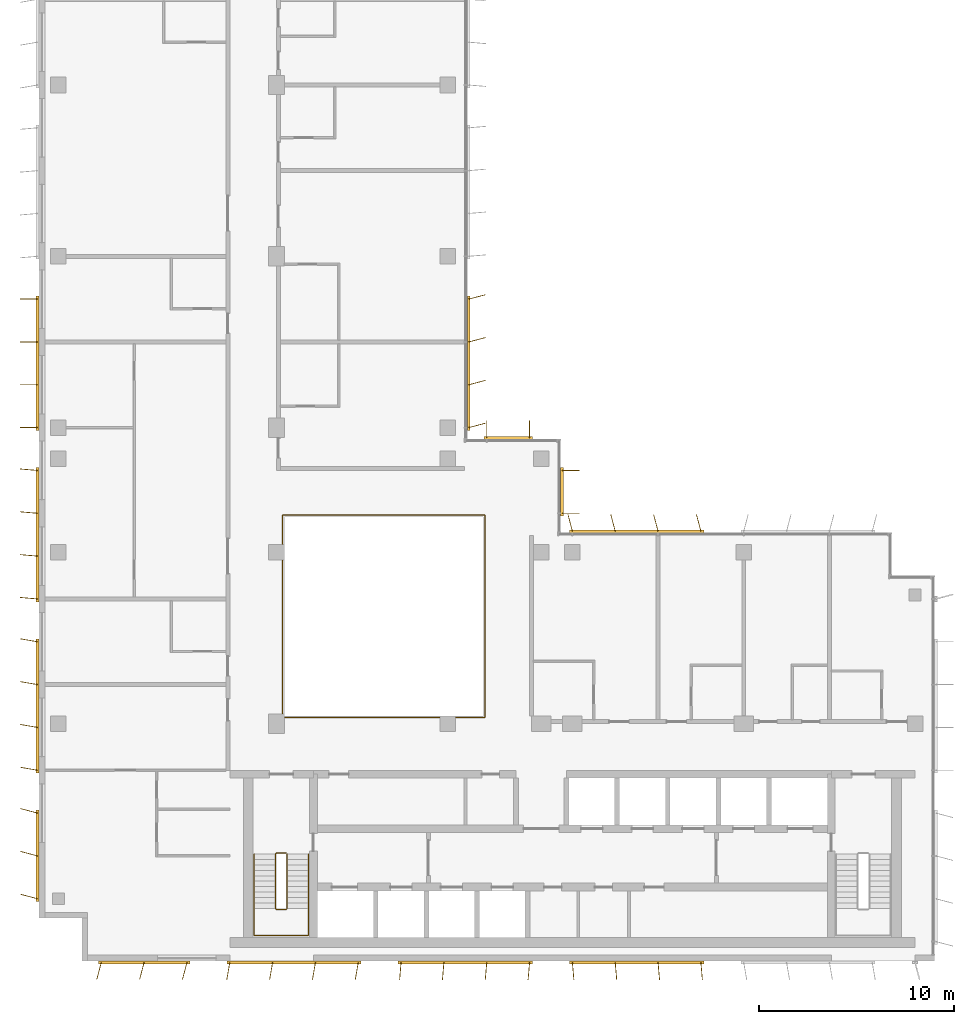
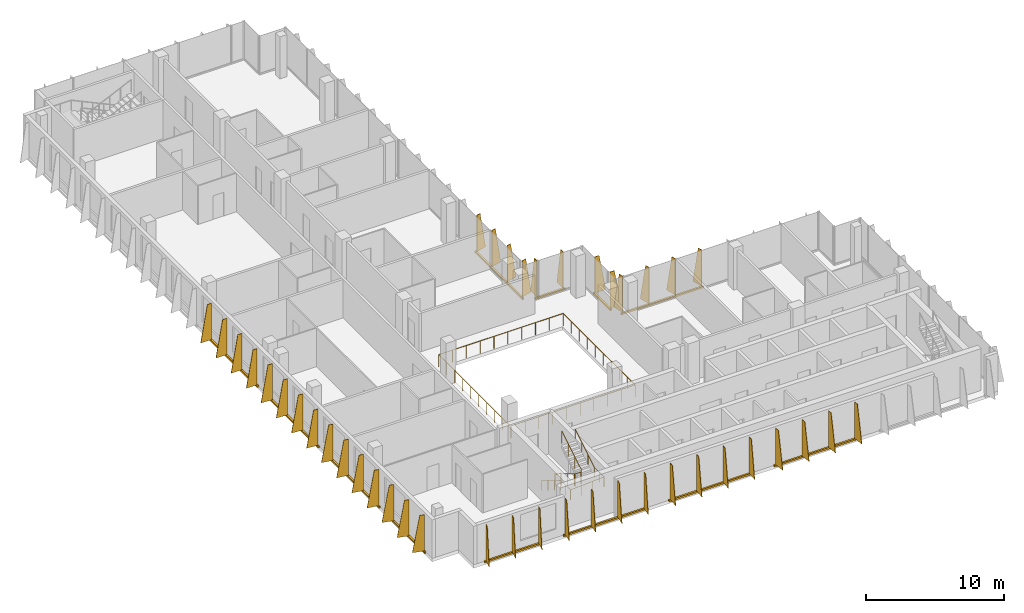
# One storey, part 13 of 15: 12 shading devices, 3 railings.
"""IFC4 building model written with IfcOpenShell, lengths in metres."""

from ifc_helpers import new_model, si_unit, direction, frame, origin, origin_2d, place, context, subcontext, project, spatial, polyline, rectangle, circle, outline, extrude, source, transform, mapped, material, layer, layer_set, type_object, element, save


model = new_model("IFC4")

# Units and contexts
model_context = context("Model", 3, precision=1e-05, world=origin(), true_north=direction((0.0, 1.0)))
body_context = subcontext(model_context, "Body", "Model", "MODEL_VIEW")
ifc_project = project(units=[si_unit("LENGTHUNIT", "METRE"), si_unit("AREAUNIT", "SQUARE_METRE"), si_unit("VOLUMEUNIT", "CUBIC_METRE"), si_unit("PLANEANGLEUNIT", "RADIAN"), si_unit("MASSUNIT", "GRAM", prefix="KILO")], contexts=[model_context])

# Site, building, storey
site_placement = place(None, origin())
site = spatial("IfcSite", under=ifc_project, at=site_placement, CompositionType="ELEMENT")
building_placement = place(site_placement, origin())
building = spatial("IfcBuilding", under=site, at=building_placement, Name="Kemantara Hotel Tower", CompositionType="ELEMENT")
storey_placement = place(building_placement, frame((0.0, 0.0, 279.60009765625)))
storey = spatial("IfcBuildingStorey", under=building, at=storey_placement, Name="L70", CompositionType="ELEMENT", Elevation=279.60009765625)

# Railings
ifc_material_1 = material(Name="Stainless steel and laminated glass balustrade", Category="steel")
railing_type_1 = type_object("IfcRailingType", Name="ATRIUM GUARD 1100", PredefinedType="GUARDRAIL", material=ifc_material_1)
railing_1_placement = place(storey_placement, frame((12.56005859375, 12.5, 0.0)))
element("IfcRailing", 1, at=railing_1_placement, inside=storey, type_object=railing_type_1, Name="ATRIUM GUARD L70", PredefinedType="GUARDRAIL", context=body_context, shape_type="SweptSolid", body=[
    extrude(circle(Radius=0.02490234375, at=origin_2d()), frame((0.0, 0.0, 1.0751953125), z_axis=(1.0, 0.0, 0.0), x_axis=(0.0, 1.0, 0.0)), (0.0, 0.0, 1.0), 10.33984375),
    extrude(circle(Radius=0.02490234375, at=origin_2d()), frame((10.33984375, 0.0, 1.0751953125), z_axis=(0.0, 1.0, 0.0), x_axis=(-1.0, 0.0, 0.0)), (0.0, 0.0, 1.0), 10.39990234375),
    extrude(circle(Radius=0.02490234375, at=origin_2d()), frame((10.33984375, 10.39990234375, 1.0751953125), z_axis=(-1.0, 0.0, 0.0), x_axis=(0.0, -1.0, 0.0)), (0.0, 0.0, 1.0), 10.39990234375),
    extrude(circle(Radius=0.02490234375, at=origin_2d()), frame((-0.06005859375, 10.39990234375, 1.0751953125), z_axis=(0.0, -1.0, 0.0), x_axis=(1.0, 0.0, 0.0)), (0.0, 0.0, 1.0), 10.39990234375),
    extrude(circle(Radius=0.02001953125, at=origin_2d()), origin(), (0.0, 0.0, 1.0), 1.050048828125),
    extrude(circle(Radius=0.02001953125, at=origin_2d()), frame((1.14892578125, 0.0, 0.0)), (0.0, 0.0, 1.0), 1.050048828125),
    extrude(circle(Radius=0.02001953125, at=origin_2d()), frame((2.2978515625, 0.0, 0.0)), (0.0, 0.0, 1.0), 1.050048828125),
    extrude(circle(Radius=0.02001953125, at=origin_2d()), frame((3.446533203125, 0.0, 0.0)), (0.0, 0.0, 1.0), 1.050048828125),
    extrude(circle(Radius=0.02001953125, at=origin_2d()), frame((4.595458984375, 0.0, 0.0)), (0.0, 0.0, 1.0), 1.050048828125),
    extrude(circle(Radius=0.02001953125, at=origin_2d()), frame((5.744384765625, 0.0, 0.0)), (0.0, 0.0, 1.0), 1.050048828125),
    extrude(circle(Radius=0.02001953125, at=origin_2d()), frame((6.893310546875, 0.0, 0.0)), (0.0, 0.0, 1.0), 1.050048828125),
    extrude(circle(Radius=0.02001953125, at=origin_2d()), frame((8.0419921875, 0.0, 0.0)), (0.0, 0.0, 1.0), 1.050048828125),
    extrude(circle(Radius=0.02001953125, at=origin_2d()), frame((9.19091796875, 0.0, 0.0)), (0.0, 0.0, 1.0), 1.050048828125),
    extrude(circle(Radius=0.02001953125, at=origin_2d()), frame((10.33984375, 0.0, 0.0)), (0.0, 0.0, 1.0), 1.050048828125),
    extrude(circle(Radius=0.02001953125, at=origin_2d()), frame((10.33984375, 1.155517578125, 0.0)), (0.0, 0.0, 1.0), 1.050048828125),
    extrude(circle(Radius=0.02001953125, at=origin_2d()), frame((10.33984375, 2.31103515625, 0.0)), (0.0, 0.0, 1.0), 1.050048828125),
    extrude(circle(Radius=0.02001953125, at=origin_2d()), frame((10.33984375, 3.466552734375, 0.0)), (0.0, 0.0, 1.0), 1.050048828125),
    extrude(circle(Radius=0.02001953125, at=origin_2d()), frame((10.33984375, 4.6220703125, 0.0)), (0.0, 0.0, 1.0), 1.050048828125),
    extrude(circle(Radius=0.02001953125, at=origin_2d()), frame((10.33984375, 5.77783203125, 0.0)), (0.0, 0.0, 1.0), 1.050048828125),
    extrude(circle(Radius=0.02001953125, at=origin_2d()), frame((10.33984375, 6.933349609375, 0.0)), (0.0, 0.0, 1.0), 1.050048828125),
    extrude(circle(Radius=0.02001953125, at=origin_2d()), frame((10.33984375, 8.0888671875, 0.0)), (0.0, 0.0, 1.0), 1.050048828125),
    extrude(circle(Radius=0.02001953125, at=origin_2d()), frame((10.33984375, 9.244384765625, 0.0)), (0.0, 0.0, 1.0), 1.050048828125),
    extrude(circle(Radius=0.02001953125, at=origin_2d()), frame((10.33984375, 10.39990234375, 0.0)), (0.0, 0.0, 1.0), 1.050048828125),
    extrude(circle(Radius=0.02001953125, at=origin_2d()), frame((9.184326171875, 10.39990234375, 0.0)), (0.0, 0.0, 1.0), 1.050048828125),
    extrude(circle(Radius=0.02001953125, at=origin_2d()), frame((8.02880859375, 10.39990234375, 0.0)), (0.0, 0.0, 1.0), 1.050048828125),
    extrude(circle(Radius=0.02001953125, at=origin_2d()), frame((6.873291015625, 10.39990234375, 0.0)), (0.0, 0.0, 1.0), 1.050048828125),
    extrude(circle(Radius=0.02001953125, at=origin_2d()), frame((5.7177734375, 10.39990234375, 0.0)), (0.0, 0.0, 1.0), 1.050048828125),
    extrude(circle(Radius=0.02001953125, at=origin_2d()), frame((4.56201171875, 10.39990234375, 0.0)), (0.0, 0.0, 1.0), 1.050048828125),
    extrude(circle(Radius=0.02001953125, at=origin_2d()), frame((3.406494140625, 10.39990234375, 0.0)), (0.0, 0.0, 1.0), 1.050048828125),
    extrude(circle(Radius=0.02001953125, at=origin_2d()), frame((2.2509765625, 10.39990234375, 0.0)), (0.0, 0.0, 1.0), 1.050048828125),
    extrude(circle(Radius=0.02001953125, at=origin_2d()), frame((1.095458984375, 10.39990234375, 0.0)), (0.0, 0.0, 1.0), 1.050048828125),
    extrude(circle(Radius=0.02001953125, at=origin_2d()), frame((-0.06005859375, 10.39990234375, 0.0)), (0.0, 0.0, 1.0), 1.050048828125),
    extrude(circle(Radius=0.02001953125, at=origin_2d()), frame((-0.06005859375, 9.244384765625, 0.0)), (0.0, 0.0, 1.0), 1.050048828125),
    extrude(circle(Radius=0.02001953125, at=origin_2d()), frame((-0.06005859375, 8.0888671875, 0.0)), (0.0, 0.0, 1.0), 1.050048828125),
    extrude(circle(Radius=0.02001953125, at=origin_2d()), frame((-0.06005859375, 6.933349609375, 0.0)), (0.0, 0.0, 1.0), 1.050048828125),
    extrude(circle(Radius=0.02001953125, at=origin_2d()), frame((-0.06005859375, 5.77783203125, 0.0)), (0.0, 0.0, 1.0), 1.050048828125),
    extrude(circle(Radius=0.02001953125, at=origin_2d()), frame((-0.06005859375, 4.6220703125, 0.0)), (0.0, 0.0, 1.0), 1.050048828125),
    extrude(circle(Radius=0.02001953125, at=origin_2d()), frame((-0.06005859375, 3.466552734375, 0.0)), (0.0, 0.0, 1.0), 1.050048828125),
    extrude(circle(Radius=0.02001953125, at=origin_2d()), frame((-0.06005859375, 2.31103515625, 0.0)), (0.0, 0.0, 1.0), 1.050048828125),
    extrude(circle(Radius=0.02001953125, at=origin_2d()), frame((-0.06005859375, 1.155517578125, 0.0)), (0.0, 0.0, 1.0), 1.050048828125),
    extrude(circle(Radius=0.02001953125, at=origin_2d()), frame((-0.06005859375, 0.0, 0.0)), (0.0, 0.0, 1.0), 1.050048828125),
])
ifc_material_2 = material(Name="Stainless steel balustrade", Category="steel")
railing_type_2 = type_object("IfcRailingType", Name="Stair guard 1100 mm", PredefinedType="GUARDRAIL", material=ifc_material_2)
railing_2_placement = place(storey_placement, frame((12.75, 5.5, 3.699951171875)))
element("IfcRailing", 2, at=railing_2_placement, inside=storey, type_object=railing_type_2, Name="L70 ST1 stair guard 1", PredefinedType="GUARDRAIL", context=body_context, shape_type="SweptSolid", body=[
    extrude(circle(Radius=0.02392578125, at=origin_2d()), frame((0.0, 0.0, 1.076171875), z_axis=(0.0, -0.857242210791, -0.514913383045), x_axis=(1.0, 0.0, 0.0)), (0.0, 0.0, 1.0), 3.266357421875),
    extrude(circle(Radius=0.02392578125, at=origin_2d()), frame((0.0, -2.800048828125, -0.60595703125), z_axis=(-0.274243871929, -0.274243871929, -0.92172696468), x_axis=(0.707106781187, -0.707106781187, 0.0)), (0.0, 0.0, 1.0), 0.1826171875),
    extrude(circle(Radius=0.02392578125, at=origin_2d()), frame((-0.050048828125, -2.85009765625, -0.77392578125), z_axis=(-1.0, 0.0, 0.0), x_axis=(0.0, -1.0, 0.0)), (0.0, 0.0, 1.0), 0.5),
    extrude(circle(Radius=0.02392578125, at=origin_2d()), frame((-0.550048828125, -2.85009765625, -0.77392578125), z_axis=(-0.707106781187, 0.707106781187, 0.0), x_axis=(-0.707106781187, -0.707106781187, 0.0)), (0.0, 0.0, 1.0), 0.07080078125),
    extrude(circle(Radius=0.02392578125, at=origin_2d()), frame((-0.60009765625, -2.800048828125, -0.77392578125), z_axis=(0.0, 0.857242210791, -0.514913383045), x_axis=(-1.0, 0.0, 0.0)), (0.0, 0.0, 1.0), 3.266357421875),
    extrude(circle(Radius=0.02392578125, at=origin_2d()), frame((-0.60009765625, 0.0, -2.4560546875), z_axis=(0.274582412415, 0.274582412415, -0.921525364591), x_axis=(-0.707106781187, 0.707106781187, 0.0)), (0.0, 0.0, 1.0), 0.182373046875),
    extrude(circle(Radius=0.02392578125, at=origin_2d()), frame((-0.550048828125, 0.050048828125, -2.6240234375), z_axis=(1.0, 0.0, 0.0), x_axis=(0.0, 1.0, 0.0)), (0.0, 0.0, 1.0), 0.5),
    extrude(circle(Radius=0.02099609375, at=origin_2d()), origin(), (0.0, 0.0, 1.0), 1.052001953125),
    extrude(circle(Radius=0.02099609375, at=origin_2d()), frame((0.0, -0.933349609375, -0.560546875)), (0.0, 0.0, 1.0), 1.052001953125),
    extrude(circle(Radius=0.02099609375, at=origin_2d()), frame((0.0, -1.86669921875, -1.121337890625)), (0.0, 0.0, 1.0), 1.052001953125),
    extrude(circle(Radius=0.02099609375, at=origin_2d()), frame((0.0, -2.800048828125, -1.681884765625)), (0.0, 0.0, 1.0), 1.052001953125),
    extrude(circle(Radius=0.02099609375, at=origin_2d()), frame((-0.050048828125, -2.85009765625, -1.85009765625)), (0.0, 0.0, 1.0), 1.052001953125),
    extrude(circle(Radius=0.02099609375, at=origin_2d()), frame((-0.550048828125, -2.85009765625, -1.85009765625)), (0.0, 0.0, 1.0), 1.052001953125),
    extrude(circle(Radius=0.02099609375, at=origin_2d()), frame((-0.60009765625, -2.800048828125, -1.85009765625)), (0.0, 0.0, 1.0), 1.052001953125),
    extrude(circle(Radius=0.02099609375, at=origin_2d()), frame((-0.60009765625, -1.86669921875, -2.41064453125)), (0.0, 0.0, 1.0), 1.052001953125),
    extrude(circle(Radius=0.02099609375, at=origin_2d()), frame((-0.60009765625, -0.933349609375, -2.971435546875)), (0.0, 0.0, 1.0), 1.052001953125),
    extrude(circle(Radius=0.02099609375, at=origin_2d()), frame((-0.60009765625, 0.0, -3.531982421875)), (0.0, 0.0, 1.0), 1.052001953125),
    extrude(circle(Radius=0.02099609375, at=origin_2d()), frame((-0.550048828125, 0.050048828125, -3.699951171875)), (0.0, 0.0, 1.0), 1.052001953125),
    extrude(circle(Radius=0.02099609375, at=origin_2d()), frame((-0.050048828125, 0.050048828125, -3.699951171875)), (0.0, 0.0, 1.0), 1.052001953125),
])
railing_type_3 = type_object("IfcRailingType", Name="Stair handrail 900 mm", PredefinedType="HANDRAIL", material=ifc_material_2)
railing_3_placement = place(storey_placement, frame((11.050048828125, 5.5, 0.16796875)))
element("IfcRailing", 3, at=railing_3_placement, inside=storey, type_object=railing_type_3, Name="L70 ST1 stair handrail 1", PredefinedType="HANDRAIL", context=body_context, shape_type="SweptSolid", body=[
    extrude(circle(Radius=0.02392578125, at=origin_2d()), frame((0.0, 0.0, 0.8759765625), z_axis=(0.0, -0.857242210791, 0.514913383045), x_axis=(1.0, 0.0, 0.0)), (0.0, 0.0, 1.0), 3.266357421875),
    extrude(circle(Radius=0.02392578125, at=origin_2d()), frame((0.0, -2.800048828125, 2.5576171875), z_axis=(0.0, -1.0, 0.0), x_axis=(1.0, 0.0, 0.0)), (0.0, 0.0, 1.0), 1.3798828125),
    extrude(circle(Radius=0.02392578125, at=origin_2d()), frame((0.0, -4.179931640625, 2.5576171875), z_axis=(0.998200367801, 0.0, 0.059966871865), x_axis=(0.0, 1.0, 0.0)), (0.0, 0.0, 1.0), 2.80517578125),
    extrude(circle(Radius=0.02392578125, at=origin_2d()), frame((2.800048828125, -4.179931640625, 2.72607421875), z_axis=(0.0, 1.0, 0.0), x_axis=(-1.0, 0.0, 0.0)), (0.0, 0.0, 1.0), 1.3798828125),
    extrude(circle(Radius=0.02392578125, at=origin_2d()), frame((2.800048828125, -2.800048828125, 2.72607421875), z_axis=(0.0, 0.857242210791, 0.514913383045), x_axis=(-1.0, 0.0, 0.0)), (0.0, 0.0, 1.0), 3.266357421875),
    extrude(circle(Radius=0.02099609375, at=origin_2d()), origin(), (0.0, 0.0, 1.0), 0.851806640625),
    extrude(circle(Radius=0.02099609375, at=origin_2d()), frame((0.0, -0.933349609375, 0.560546875)), (0.0, 0.0, 1.0), 0.851806640625),
    extrude(circle(Radius=0.02099609375, at=origin_2d()), frame((0.0, -1.86669921875, 1.121337890625)), (0.0, 0.0, 1.0), 0.851806640625),
    extrude(circle(Radius=0.02099609375, at=origin_2d()), frame((0.0, -2.800048828125, 1.681884765625)), (0.0, 0.0, 1.0), 0.851806640625),
    extrude(circle(Radius=0.02099609375, at=origin_2d()), frame((0.0, -3.489990234375, 1.681884765625)), (0.0, 0.0, 1.0), 0.851806640625),
    extrude(circle(Radius=0.02099609375, at=origin_2d()), frame((0.0, -4.179931640625, 1.681884765625)), (0.0, 0.0, 1.0), 0.851806640625),
    extrude(circle(Radius=0.02099609375, at=origin_2d()), frame((0.933349609375, -4.179931640625, 1.738037109375)), (0.0, 0.0, 1.0), 0.851806640625),
    extrude(circle(Radius=0.02099609375, at=origin_2d()), frame((1.86669921875, -4.179931640625, 1.7939453125)), (0.0, 0.0, 1.0), 0.851806640625),
    extrude(circle(Radius=0.02099609375, at=origin_2d()), frame((2.800048828125, -4.179931640625, 1.85009765625)), (0.0, 0.0, 1.0), 0.851806640625),
    extrude(circle(Radius=0.02099609375, at=origin_2d()), frame((2.800048828125, -3.489990234375, 1.85009765625)), (0.0, 0.0, 1.0), 0.851806640625),
    extrude(circle(Radius=0.02099609375, at=origin_2d()), frame((2.800048828125, -2.800048828125, 1.85009765625)), (0.0, 0.0, 1.0), 0.851806640625),
    extrude(circle(Radius=0.02099609375, at=origin_2d()), frame((2.800048828125, -1.86669921875, 2.41064453125)), (0.0, 0.0, 1.0), 0.851806640625),
    extrude(circle(Radius=0.02099609375, at=origin_2d()), frame((2.800048828125, -0.933349609375, 2.971435546875)), (0.0, 0.0, 1.0), 0.851806640625),
    extrude(circle(Radius=0.02099609375, at=origin_2d()), frame((2.800048828125, 0.0, 3.531982421875)), (0.0, 0.0, 1.0), 0.851806640625),
])

# Shading devices
ifc_material_3 = material(Name="Perforated aluminium plate 4 mm bronze anodised", Category="aluminium")
ifc_layer_1 = layer(ifc_material_3, 0.0400390625)
ifc_layer_set_1 = layer_set([ifc_layer_1], Name="Perforated aluminium plate 4 mm bronze anodised")
shading_device_type_1 = type_object("IfcShadingDeviceType", Name="SCREEN FIN CASSETTE, 3 BLADES AT -15.0 DEG, 3200 HIGH", PredefinedType="USERDEFINED", material=ifc_layer_set_1)
shared_shape_1 = source(origin(), body_context, "Body", "SweptSolid", [
    extrude(rectangle(XDim=4.699951171875, YDim=0.14990234375, at=origin_2d()), frame((2.199951171875, -0.074951171875, -0.14990234375), z_axis=(0.0, 0.0, 1.0), x_axis=(1.0, 0.0, 0.0)), (0.0, 0.0, 1.0), 0.14990234375),
    extrude(outline(polyline([(0.0, 0.0), (0.89990234375, 0.0), (0.35009765625, 3.199951171875), (0.0, 3.199951171875), (0.0, 0.0)])), frame((0.019287109375, -0.080078125, 0.0), z_axis=(-0.966437683387, 0.256901156343, 0.0), x_axis=(-0.256901156343, -0.966437683387, 0.0)), (0.0, 0.0, 1.0), 0.039794921875),
    extrude(outline(polyline([(0.0, 0.0), (0.89990234375, 0.0), (0.35009765625, 3.199951171875), (0.0, 3.199951171875), (0.0, 0.0)])), frame((2.21923828125, -0.080078125, 0.0), z_axis=(-0.966437683387, 0.256901156343, 0.0), x_axis=(-0.256901156343, -0.966437683387, 0.0)), (0.0, 0.0, 1.0), 0.039794921875),
    extrude(outline(polyline([(0.0, 0.0), (0.89990234375, 0.0), (0.35009765625, 3.199951171875), (0.0, 3.199951171875), (0.0, 0.0)])), frame((4.41943359375, -0.080078125, 0.0), z_axis=(-0.966837822169, 0.255391122837, 0.0), x_axis=(-0.255391122837, -0.966837822169, 0.0)), (0.0, 0.0, 1.0), 0.0400390625),
])
for number, where, z_axis, x_axis, name in (
    (4, (0.0, 7.60009765625, 0.099853515625), (0.0, 0.0, 1.0), (0.0, -1.0, 0.0), "SCREEN FIN CASSETTE L70 T4-R05-7"),
    (5, (3.199951171875, 0.0, 0.099853515625), (0.0, 0.0, 1.0), (1.0, 0.0, 0.0), "SCREEN FIN CASSETTE L70 T4-R08-1"),
):
    element("IfcShadingDevice", number, at=place(storey_placement, frame(where, z_axis=z_axis, x_axis=x_axis)), inside=storey, type_object=shading_device_type_1, Name=name, ObjectType="SCREEN FIN", PredefinedType="USERDEFINED", context=body_context, shape_type="MappedRepresentation", body=[
        mapped(shared_shape_1, transform((0.0, 0.0, 0.0))),
    ])
ifc_layer_2 = layer(ifc_material_3, 0.0400390625)
ifc_layer_set_2 = layer_set([ifc_layer_2], Name="Perforated aluminium plate 4 mm bronze anodised")
shading_device_type_2 = type_object("IfcShadingDeviceType", Name="SCREEN FIN CASSETTE, 4 BLADES AT -10.0 DEG, 3200 HIGH", PredefinedType="USERDEFINED", material=ifc_layer_set_2)
shared_shape_2 = source(origin(), body_context, "Body", "SweptSolid", [
    extrude(rectangle(XDim=6.89990234375, YDim=0.14990234375, at=origin_2d()), frame((3.300048828125, -0.074951171875, -0.14990234375), z_axis=(0.0, 0.0, 1.0), x_axis=(1.0, 0.0, 0.0)), (0.0, 0.0, 1.0), 0.14990234375),
    extrude(outline(polyline([(0.0, 0.0), (0.89990234375, 0.0), (0.35009765625, 3.199951171875), (0.0, 3.199951171875), (0.0, 0.0)])), frame((0.019775390625, -0.078369140625, 0.0), z_axis=(-0.985389793052, 0.170314285219, 0.0), x_axis=(-0.170314285219, -0.985389793052, 0.0)), (0.0, 0.0, 1.0), 0.0400390625),
    extrude(outline(polyline([(0.0, 0.0), (0.89990234375, 0.0), (0.35009765625, 3.199951171875), (0.0, 3.199951171875), (0.0, 0.0)])), frame((2.2197265625, -0.078369140625, 0.0), z_axis=(-0.98521175482, 0.171341174751, 0.0), x_axis=(-0.171341174751, -0.98521175482, 0.0)), (0.0, 0.0, 1.0), 0.039794921875),
    extrude(outline(polyline([(0.0, 0.0), (0.89990234375, 0.0), (0.35009765625, 3.199951171875), (0.0, 3.199951171875), (0.0, 0.0)])), frame((4.419677734375, -0.078369140625, 0.0), z_axis=(-0.98521175482, 0.171341174751, 0.0), x_axis=(-0.171341174751, -0.98521175482, 0.0)), (0.0, 0.0, 1.0), 0.039794921875),
    extrude(outline(polyline([(0.0, 0.0), (0.89990234375, 0.0), (0.35009765625, 3.199951171875), (0.0, 3.199951171875), (0.0, 0.0)])), frame((6.61962890625, -0.078369140625, 0.0), z_axis=(-0.98521175482, 0.171341174751, 0.0), x_axis=(-0.171341174751, -0.98521175482, 0.0)), (0.0, 0.0, 1.0), 0.039794921875),
])
for number, where, z_axis, x_axis, name in (
    (6, (0.0, 16.39990234375, 0.099853515625), (0.0, 0.0, 1.0), (0.0, -1.0, 0.0), "SCREEN FIN CASSETTE L70 T4-R05-6"),
    (7, (9.800048828125, 0.0, 0.099853515625), (0.0, 0.0, 1.0), (1.0, 0.0, 0.0), "SCREEN FIN CASSETTE L70 T4-R08-2"),
):
    element("IfcShadingDevice", number, at=place(storey_placement, frame(where, z_axis=z_axis, x_axis=x_axis)), inside=storey, type_object=shading_device_type_2, Name=name, ObjectType="SCREEN FIN", PredefinedType="USERDEFINED", context=body_context, shape_type="MappedRepresentation", body=[
        mapped(shared_shape_2, transform((0.0, 0.0, 0.0))),
    ])
ifc_layer_3 = layer(ifc_material_3, 0.0400390625)
ifc_layer_set_3 = layer_set([ifc_layer_3], Name="Perforated aluminium plate 4 mm bronze anodised")
shading_device_type_3 = type_object("IfcShadingDeviceType", Name="SCREEN FIN CASSETTE, 4 BLADES AT -5.0 DEG, 3200 HIGH", PredefinedType="USERDEFINED", material=ifc_layer_set_3)
shared_shape_3 = source(origin(), body_context, "Body", "SweptSolid", [
    extrude(rectangle(XDim=6.89990234375, YDim=0.14990234375, at=origin_2d()), frame((3.300048828125, -0.074951171875, -0.14990234375), z_axis=(0.0, 0.0, 1.0), x_axis=(1.0, 0.0, 0.0)), (0.0, 0.0, 1.0), 0.14990234375),
    extrude(outline(polyline([(0.0, 0.0), (0.89990234375, 0.0), (0.35009765625, 3.199951171875), (0.0, 3.199951171875), (0.0, 0.0)])), frame((0.02001953125, -0.07666015625, 0.0), z_axis=(-0.996376129781, 0.085056498884, 0.0), x_axis=(-0.085056498884, -0.996376129781, 0.0)), (0.0, 0.0, 1.0), 0.040283203125),
    extrude(outline(polyline([(0.0, 0.0), (0.89990234375, 0.0), (0.35009765625, 3.199951171875), (0.0, 3.199951171875), (0.0, 0.0)])), frame((2.219970703125, -0.07666015625, 0.0), z_axis=(-0.996331773833, 0.085574508182, 0.0), x_axis=(-0.085574508182, -0.996331773833, 0.0)), (0.0, 0.0, 1.0), 0.0400390625),
    extrude(outline(polyline([(0.0, 0.0), (0.89990234375, 0.0), (0.35009765625, 3.199951171875), (0.0, 3.199951171875), (0.0, 0.0)])), frame((4.419921875, -0.07666015625, 0.0), z_axis=(-0.996331773833, 0.085574508182, 0.0), x_axis=(-0.085574508182, -0.996331773833, 0.0)), (0.0, 0.0, 1.0), 0.0400390625),
    extrude(outline(polyline([(0.0, 0.0), (0.89990234375, 0.0), (0.35009765625, 3.199951171875), (0.0, 3.199951171875), (0.0, 0.0)])), frame((6.619873046875, -0.07666015625, 0.0), z_axis=(-0.996331773833, 0.085574508182, 0.0), x_axis=(-0.085574508182, -0.996331773833, 0.0)), (0.0, 0.0, 1.0), 0.0400390625),
])
for number, where, z_axis, x_axis, name in (
    (8, (0.0, 25.199951171875, 0.099853515625), (0.0, 0.0, 1.0), (0.0, -1.0, 0.0), "SCREEN FIN CASSETTE L70 T4-R05-5"),
    (9, (18.60009765625, 0.0, 0.099853515625), (0.0, 0.0, 1.0), (1.0, 0.0, 0.0), "SCREEN FIN CASSETTE L70 T4-R08-3"),
):
    element("IfcShadingDevice", number, at=place(storey_placement, frame(where, z_axis=z_axis, x_axis=x_axis)), inside=storey, type_object=shading_device_type_3, Name=name, ObjectType="SCREEN FIN", PredefinedType="USERDEFINED", context=body_context, shape_type="MappedRepresentation", body=[
        mapped(shared_shape_3, transform((0.0, 0.0, 0.0))),
    ])
ifc_layer_4 = layer(ifc_material_3, 0.0400390625)
ifc_layer_set_4 = layer_set([ifc_layer_4], Name="Perforated aluminium plate 4 mm bronze anodised")
shading_device_type_4 = type_object("IfcShadingDeviceType", Name="SCREEN FIN CASSETTE, 4 BLADES AT +0.0 DEG, 3200 HIGH", PredefinedType="USERDEFINED", material=ifc_layer_set_4)
shared_shape_4 = source(origin(), body_context, "Body", "SweptSolid", [
    extrude(rectangle(XDim=6.89990234375, YDim=0.14990234375, at=origin_2d()), frame((3.300048828125, -0.074951171875, -0.14990234375), z_axis=(0.0, 0.0, 1.0), x_axis=(1.0, 0.0, 0.0)), (0.0, 0.0, 1.0), 0.14990234375),
    extrude(outline(polyline([(0.0, 0.0), (0.89990234375, 0.0), (0.35009765625, 3.199951171875), (0.0, 3.199951171875), (0.0, 0.0)])), frame((0.02001953125, -0.074951171875, 0.0), z_axis=(-1.0, 0.0, 0.0), x_axis=(0.0, -1.0, 0.0)), (0.0, 0.0, 1.0), 0.0400390625),
    extrude(outline(polyline([(0.0, 0.0), (0.89990234375, 0.0), (0.35009765625, 3.199951171875), (0.0, 3.199951171875), (0.0, 0.0)])), frame((2.219970703125, -0.074951171875, 0.0), z_axis=(-1.0, 0.0, 0.0), x_axis=(0.0, -1.0, 0.0)), (0.0, 0.0, 1.0), 0.0400390625),
    extrude(outline(polyline([(0.0, 0.0), (0.89990234375, 0.0), (0.35009765625, 3.199951171875), (0.0, 3.199951171875), (0.0, 0.0)])), frame((4.419921875, -0.074951171875, 0.0), z_axis=(-1.0, 0.0, 0.0), x_axis=(0.0, -1.0, 0.0)), (0.0, 0.0, 1.0), 0.0400390625),
    extrude(outline(polyline([(0.0, 0.0), (0.89990234375, 0.0), (0.35009765625, 3.199951171875), (0.0, 3.199951171875), (0.0, 0.0)])), frame((6.6201171875, -0.074951171875, 0.0), z_axis=(-1.0, 0.0, 0.0), x_axis=(0.0, -1.0, 0.0)), (0.0, 0.0, 1.0), 0.0400390625),
])
shading_device_1_placement = place(storey_placement, frame((0.0, 34.0, 0.099853515625), z_axis=(0.0, 0.0, 1.0), x_axis=(0.0, -1.0, 0.0)))
element("IfcShadingDevice", 10, at=shading_device_1_placement, inside=storey, type_object=shading_device_type_4, Name="SCREEN FIN CASSETTE L70 T4-R05-4", ObjectType="SCREEN FIN", PredefinedType="USERDEFINED", context=body_context, shape_type="MappedRepresentation", body=[
    mapped(shared_shape_4, transform((0.0, 0.0, 0.0))),
])
ifc_layer_5 = layer(ifc_material_3, 0.0400390625)
ifc_layer_set_5 = layer_set([ifc_layer_5], Name="Perforated aluminium plate 4 mm bronze anodised")
shading_device_type_5 = type_object("IfcShadingDeviceType", Name="SCREEN FIN CASSETTE, 4 BLADES AT +5.0 DEG, 3200 HIGH", PredefinedType="USERDEFINED", material=ifc_layer_set_5)
shared_shape_5 = source(origin(), body_context, "Body", "SweptSolid", [
    extrude(rectangle(XDim=6.89990234375, YDim=0.14990234375, at=origin_2d()), frame((3.300048828125, -0.074951171875, -0.14990234375), z_axis=(0.0, 0.0, 1.0), x_axis=(1.0, 0.0, 0.0)), (0.0, 0.0, 1.0), 0.14990234375),
    extrude(outline(polyline([(0.0, 0.0), (0.89990234375, 0.0), (0.35009765625, 3.199951171875), (0.0, 3.199951171875), (0.0, 0.0)])), frame((0.02001953125, -0.0732421875, 0.0), z_axis=(-0.996376129781, -0.085056498884, 0.0), x_axis=(0.085056498884, -0.996376129781, 0.0)), (0.0, 0.0, 1.0), 0.040283203125),
    extrude(outline(polyline([(0.0, 0.0), (0.89990234375, 0.0), (0.35009765625, 3.199951171875), (0.0, 3.199951171875), (0.0, 0.0)])), frame((2.219970703125, -0.0732421875, 0.0), z_axis=(-0.996331773833, -0.085574508182, 0.0), x_axis=(0.085574508182, -0.996331773833, 0.0)), (0.0, 0.0, 1.0), 0.0400390625),
    extrude(outline(polyline([(0.0, 0.0), (0.89990234375, 0.0), (0.35009765625, 3.199951171875), (0.0, 3.199951171875), (0.0, 0.0)])), frame((4.419921875, -0.0732421875, 0.0), z_axis=(-0.996331773833, -0.085574508182, 0.0), x_axis=(0.085574508182, -0.996331773833, 0.0)), (0.0, 0.0, 1.0), 0.0400390625),
    extrude(outline(polyline([(0.0, 0.0), (0.89990234375, 0.0), (0.35009765625, 3.199951171875), (0.0, 3.199951171875), (0.0, 0.0)])), frame((6.619873046875, -0.0732421875, 0.0), z_axis=(-0.996331773833, -0.085574508182, 0.0), x_axis=(0.085574508182, -0.996331773833, 0.0)), (0.0, 0.0, 1.0), 0.0400390625),
])
shading_device_2_placement = place(storey_placement, frame((27.39990234375, 0.0, 0.099853515625), z_axis=(0.0, 0.0, 1.0), x_axis=(1.0, 0.0, 0.0)))
element("IfcShadingDevice", 11, at=shading_device_2_placement, inside=storey, type_object=shading_device_type_5, Name="SCREEN FIN CASSETTE L70 T4-R08-4", ObjectType="SCREEN FIN", PredefinedType="USERDEFINED", context=body_context, shape_type="MappedRepresentation", body=[
    mapped(shared_shape_5, transform((0.0, 0.0, 0.0))),
])
ifc_layer_6 = layer(ifc_material_3, 0.0400390625)
ifc_layer_set_6 = layer_set([ifc_layer_6], Name="Perforated aluminium plate 4 mm bronze anodised")
shading_device_type_6 = type_object("IfcShadingDeviceType", Name="SCREEN FIN CASSETTE, 4 BLADES AT +15.0 DEG, 3200 HIGH", PredefinedType="USERDEFINED", material=ifc_layer_set_6)
shared_shape_6 = source(origin(), body_context, "Body", "SweptSolid", [
    extrude(rectangle(XDim=6.89990234375, YDim=0.14990234375, at=origin_2d()), frame((3.300048828125, -0.074951171875, -0.14990234375), z_axis=(0.0, 0.0, 1.0), x_axis=(1.0, 0.0, 0.0)), (0.0, 0.0, 1.0), 0.14990234375),
    extrude(outline(polyline([(0.0, 0.0), (0.89990234375, 0.0), (0.35009765625, 3.199951171875), (0.0, 3.199951171875), (0.0, 0.0)])), frame((0.019287109375, -0.06982421875, 0.0), z_axis=(-0.966437683387, -0.256901156343, 0.0), x_axis=(0.256901156343, -0.966437683387, 0.0)), (0.0, 0.0, 1.0), 0.039794921875),
    extrude(outline(polyline([(0.0, 0.0), (0.89990234375, 0.0), (0.35009765625, 3.199951171875), (0.0, 3.199951171875), (0.0, 0.0)])), frame((2.21923828125, -0.06982421875, 0.0), z_axis=(-0.966437683387, -0.256901156343, 0.0), x_axis=(0.256901156343, -0.966437683387, 0.0)), (0.0, 0.0, 1.0), 0.039794921875),
    extrude(outline(polyline([(0.0, 0.0), (0.89990234375, 0.0), (0.35009765625, 3.199951171875), (0.0, 3.199951171875), (0.0, 0.0)])), frame((4.41943359375, -0.06982421875, 0.0), z_axis=(-0.966837822169, -0.255391122837, 0.0), x_axis=(0.255391122837, -0.966837822169, 0.0)), (0.0, 0.0, 1.0), 0.0400390625),
    extrude(outline(polyline([(0.0, 0.0), (0.89990234375, 0.0), (0.35009765625, 3.199951171875), (0.0, 3.199951171875), (0.0, 0.0)])), frame((6.619384765625, -0.06982421875, 0.0), z_axis=(-0.966837822169, -0.255391122837, 0.0), x_axis=(0.255391122837, -0.966837822169, 0.0)), (0.0, 0.0, 1.0), 0.0400390625),
])
for number, where, z_axis, x_axis, name in (
    (12, (34.0, 22.0, 0.099853515625), (0.0, 0.0, 1.0), (-1.0, 0.0, 0.0), "SCREEN FIN CASSETTE L70 T4-R12-2"),
    (13, (22.0, 27.39990234375, 0.099853515625), (0.0, 0.0, 1.0), (0.0, 1.0, 0.0), "SCREEN FIN CASSETTE L70 T4-R15-1"),
):
    element("IfcShadingDevice", number, at=place(storey_placement, frame(where, z_axis=z_axis, x_axis=x_axis)), inside=storey, type_object=shading_device_type_6, Name=name, ObjectType="SCREEN FIN", PredefinedType="USERDEFINED", context=body_context, shape_type="MappedRepresentation", body=[
        mapped(shared_shape_6, transform((0.0, 0.0, 0.0))),
    ])
ifc_layer_7 = layer(ifc_material_3, 0.0400390625)
ifc_layer_set_7 = layer_set([ifc_layer_7], Name="Perforated aluminium plate 4 mm bronze anodised")
shading_device_type_7 = type_object("IfcShadingDeviceType", Name="SCREEN FIN CASSETTE, 2 BLADES AT +0.0 DEG, 3200 HIGH", PredefinedType="USERDEFINED", material=ifc_layer_set_7)
shared_shape_7 = source(origin(), body_context, "Body", "SweptSolid", [
    extrude(rectangle(XDim=2.5, YDim=0.14990234375, at=origin_2d()), frame((1.10009765625, -0.074951171875, -0.14990234375), z_axis=(0.0, 0.0, 1.0), x_axis=(1.0, 0.0, 0.0)), (0.0, 0.0, 1.0), 0.14990234375),
    extrude(outline(polyline([(0.0, 0.0), (0.89990234375, 0.0), (0.35009765625, 3.199951171875), (0.0, 3.199951171875), (0.0, 0.0)])), frame((0.02001953125, -0.074951171875, 0.0), z_axis=(-1.0, 0.0, 0.0), x_axis=(0.0, -1.0, 0.0)), (0.0, 0.0, 1.0), 0.0400390625),
    extrude(outline(polyline([(0.0, 0.0), (0.89990234375, 0.0), (0.35009765625, 3.199951171875), (0.0, 3.199951171875), (0.0, 0.0)])), frame((2.219970703125, -0.074951171875, 0.0), z_axis=(-1.0, 0.0, 0.0), x_axis=(0.0, -1.0, 0.0)), (0.0, 0.0, 1.0), 0.0400390625),
])
for number, where, z_axis, x_axis, name in (
    (14, (26.800048828125, 23.0, 0.099853515625), (0.0, 0.0, 1.0), (0.0, 1.0, 0.0), "SCREEN FIN CASSETTE L70 T4-R13-1"),
    (15, (25.199951171875, 26.800048828125, 0.099853515625), (0.0, 0.0, 1.0), (-1.0, 0.0, 0.0), "SCREEN FIN CASSETTE L70 T4-R14-1"),
):
    element("IfcShadingDevice", number, at=place(storey_placement, frame(where, z_axis=z_axis, x_axis=x_axis)), inside=storey, type_object=shading_device_type_7, Name=name, ObjectType="SCREEN FIN", PredefinedType="USERDEFINED", context=body_context, shape_type="MappedRepresentation", body=[
        mapped(shared_shape_7, transform((0.0, 0.0, 0.0))),
    ])

save(model, "model.ifc")
